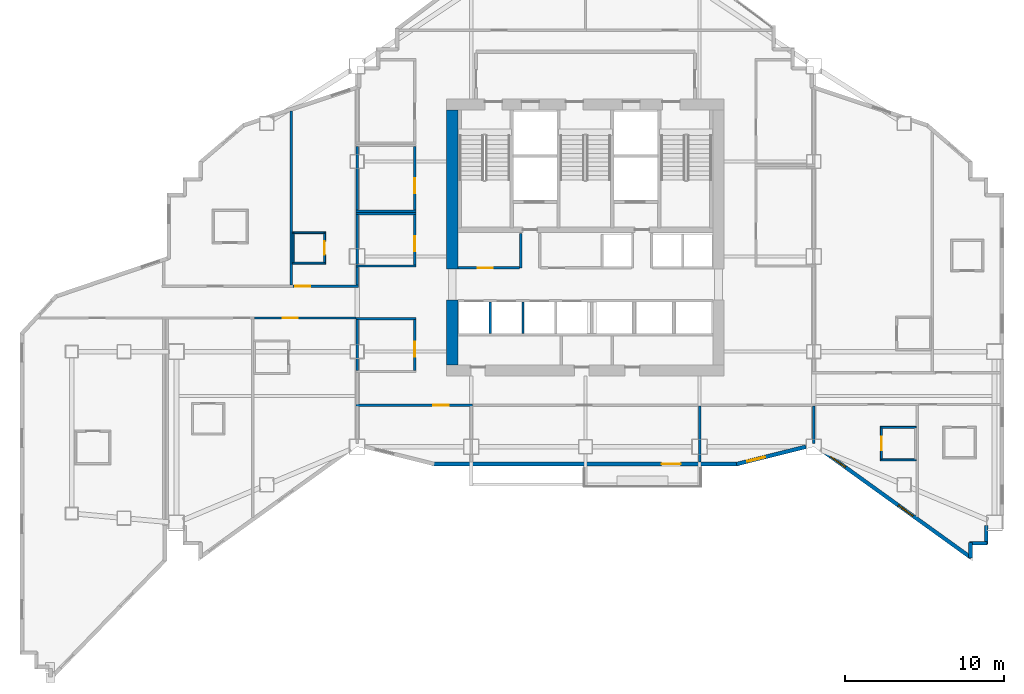
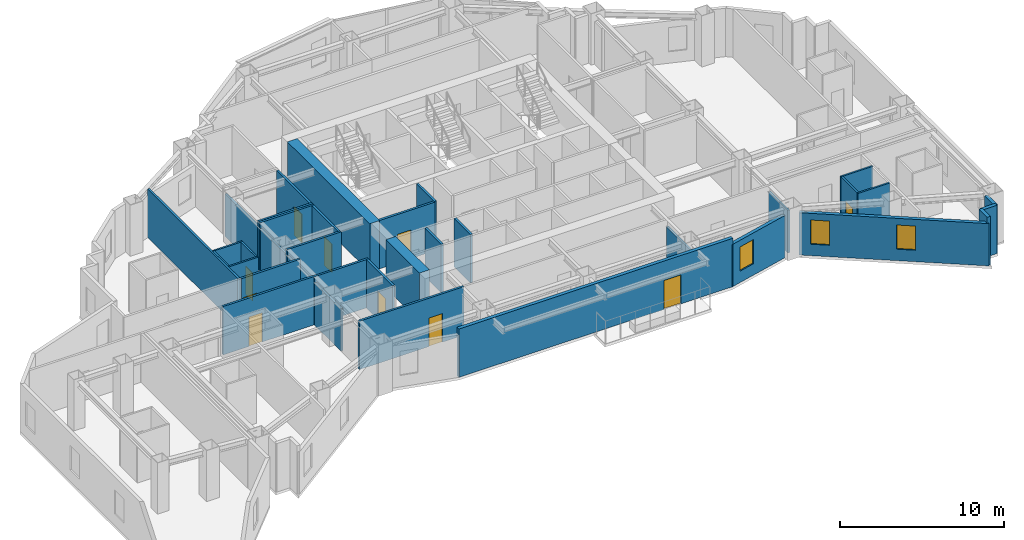
# One storey, part 6 of 13: 36 walls, 10 doors, 3 windows, 13 openings.
"""IFC4 building model written with IfcOpenShell, lengths in metres."""

from ifc_helpers import new_model, si_unit, direction, frame, frame_2d, origin, place, context, subcontext, project, spatial, rectangle, extrude, material, layer, layer_set, type_object, element, fill, save


model = new_model("IFC4")

# Units and contexts
model_context = context("Model", 3, precision=1e-05, world=origin(), true_north=direction((0.0, 1.0)))
body_context = subcontext(model_context, "Body", "Model", "MODEL_VIEW")
ifc_project = project(units=[si_unit("LENGTHUNIT", "METRE"), si_unit("AREAUNIT", "SQUARE_METRE"), si_unit("VOLUMEUNIT", "CUBIC_METRE"), si_unit("PLANEANGLEUNIT", "RADIAN"), si_unit("MASSUNIT", "GRAM", prefix="KILO")], contexts=[model_context])

# Site, building, storey
site_placement = place(None, origin())
site = spatial("IfcSite", under=ifc_project, at=site_placement, CompositionType="ELEMENT")
building_placement = place(site_placement, origin())
building = spatial("IfcBuilding", under=site, at=building_placement, Name="Haolan Belvedere Tower", CompositionType="ELEMENT")
storey_placement = place(building_placement, frame((0.0, 0.0, 106.0)))
storey = spatial("IfcBuildingStorey", under=building, at=storey_placement, Name="L26", CompositionType="ELEMENT", Elevation=106.0)

# Walls
ifc_material_1 = material(Name="Concrete C60/75", Category="concrete")
ifc_layer_1 = layer(ifc_material_1, 0.699951171875, Name="Concrete C60/75")
ifc_layer_set_1 = layer_set([ifc_layer_1], Name="Concrete C60/75")
wall_type_1 = type_object("IfcWallType", Name="WL-CORE-700", PredefinedType="SHEAR", material=ifc_layer_set_1)
wall_1_placement = place(storey_placement, frame((30.0, 26.75, 0.0), z_axis=(0.0, 0.0, 1.0), x_axis=(0.0, 1.0, 0.0)))
element("IfcWall", 1, at=wall_1_placement, inside=storey, type_object=wall_type_1, Name="L26 central core shear wall WS", PredefinedType="SHEAR", context=body_context, shape_type="SweptSolid", body=[
    extrude(rectangle(XDim=4.10009765625, YDim=0.699951171875, at=frame_2d((2.050048828125, 0.0))), origin(), (0.0, 0.0, 1.0), 3.60009765625),
])
wall_2_placement = place(storey_placement, frame((30.0, 32.800048828125, 0.0), z_axis=(0.0, 0.0, 1.0), x_axis=(0.0, 1.0, 0.0)))
element("IfcWall", 2, at=wall_2_placement, inside=storey, type_object=wall_type_1, Name="L26 central core shear wall WN", PredefinedType="SHEAR", context=body_context, shape_type="SweptSolid", body=[
    extrude(rectangle(XDim=10.050048828125, YDim=0.699951171875, at=frame_2d((5.02490234375, 0.0))), origin(), (0.0, 0.0, 1.0), 3.60009765625),
])

# Wall, opening, door
ifc_material_2 = material(Name="Precast concrete C40/50", Category="concrete")
ifc_layer_2 = layer(ifc_material_2, 0.239990234375, Name="Precast concrete C40/50")
ifc_layer_set_2 = layer_set([ifc_layer_2], Name="Precast concrete C40/50")
wall_type_2 = type_object("IfcWallType", Name="WL-EXT-240", PredefinedType="SOLIDWALL", material=ifc_layer_set_2)
wall_3_placement = place(storey_placement, frame((28.759765625, 20.52001953125, 0.0), z_axis=(0.0, 0.0, 1.0), x_axis=(1.0, 0.0, 0.0)))
wall_3 = element("IfcWall", 3, at=wall_3_placement, inside=storey, type_object=wall_type_2, Name="L26 pale-metal exterior spandrel wall 7.1", PredefinedType="SOLIDWALL", context=body_context, shape_type="SweptSolid", body=[
    extrude(rectangle(XDim=19.280517578125, YDim=0.239990234375, at=frame_2d((9.64013671875, 0.0))), origin(), (0.0, 0.0, 1.0), 3.60009765625),
])
opening_1_placement = place(wall_3_placement, frame((15.64013671875, 0.0, 0.0), z_axis=(0.0, 0.0, 1.0), x_axis=(-1.0, 0.0, 0.0)))
opening_1 = element("IfcOpeningElement", 4, at=opening_1_placement, cuts=wall_3, Name="Opening BD-01", PredefinedType="OPENING", context=body_context, shape_type="SweptSolid", body=[
    extrude(rectangle(XDim=1.199951171875, YDim=2.14990234375, at=frame_2d((0.60009765625, 1.074951171875))), frame((0.0, 0.1298828125, 0.0), z_axis=(0.0, -1.0, 0.0), x_axis=(1.0, 0.0, 0.0)), (0.0, 0.0, 1.0), 0.260009765625),
])
ifc_material_3 = material(Name="Thermally broken pale-metal aluminium and Low-E glass", Category="aluminium")
door_type_1 = type_object("IfcDoorType", Name="DR-BAL-1200", OperationType="NOTDEFINED", PredefinedType="DOOR", material=ifc_material_3)
door_1_placement = place(opening_1_placement, origin())
door_1 = element("IfcDoor", 5, at=door_1_placement, inside=storey, type_object=door_type_1, Name="L26 tree-balcony access door 1", OperationType="SINGLE_SWING_RIGHT", OverallHeight=2.14990234375, OverallWidth=1.199951171875, PredefinedType="DOOR", context=body_context, shape_type="SweptSolid", body=[
    extrude(rectangle(XDim=1.199951171875, YDim=2.14990234375, at=frame_2d((0.60009765625, 1.074951171875))), frame((0.0, 0.02490234375, 0.0), z_axis=(0.0, -1.0, 0.0), x_axis=(1.0, 0.0, 0.0)), (0.0, 0.0, 1.0), 0.050048828125),
])
fill(opening_1, door_1)

# Wall, opening, window
wall_4_placement = place(storey_placement, frame((47.931884765625, 20.506591796875, 0.0), z_axis=(0.0, 0.0, 1.0), x_axis=(0.970145683738, 0.242522890311, 0.0)))
wall_4 = element("IfcWall", 6, at=wall_4_placement, inside=storey, type_object=wall_type_2, Name="L26 pale-metal exterior spandrel wall 8.1", PredefinedType="SOLIDWALL", context=body_context, shape_type="SweptSolid", body=[
    extrude(rectangle(XDim=4.510986328125, YDim=0.239990234375, at=frame_2d((2.25537109375, 0.0))), origin(), (0.0, 0.0, 1.0), 3.14501953125),
])
opening_2_placement = place(wall_4_placement, frame((0.699951171875, 0.0, 0.85009765625)))
opening_2 = element("IfcOpeningElement", 7, at=opening_2_placement, cuts=wall_4, Name="Opening W-02", PredefinedType="OPENING", context=body_context, shape_type="SweptSolid", body=[
    extrude(rectangle(XDim=1.14990234375, YDim=1.800048828125, at=frame_2d((0.574951171875, 0.89990234375))), frame((0.0, 0.1298828125, 0.0), z_axis=(0.0, -1.0, 0.0), x_axis=(1.0, 0.0, 0.0)), (0.0, 0.0, 1.0), 0.260009765625),
])
ifc_material_4 = material(Name="Anodised aluminium 6063-T6 and Low-E glass", Category="aluminium")
window_type = type_object("IfcWindowType", Name="WN-DECO-Z2", PartitioningType="SINGLE_PANEL", PredefinedType="WINDOW", material=ifc_material_4)
window_1_placement = place(opening_2_placement, origin())
window_1 = element("IfcWindow", 8, at=window_1_placement, inside=storey, type_object=window_type, Name="L26 Art Deco chevron window 1", OverallHeight=1.800048828125, OverallWidth=1.14990234375, PartitioningType="SINGLE_PANEL", PredefinedType="WINDOW", context=body_context, shape_type="SweptSolid", body=[
    extrude(rectangle(XDim=1.14990234375, YDim=1.800048828125, at=frame_2d((0.574951171875, 0.89990234375))), frame((0.0, 0.030029296875, 0.0), z_axis=(0.0, -1.0, 0.0), x_axis=(1.0, 0.0, 0.0)), (0.0, 0.0, 1.0), 0.06005859375),
])
fill(opening_2, window_1)

# Wall, openings, windows
wall_5_placement = place(storey_placement, frame((53.2919921875, 21.3935546875, 0.0), z_axis=(0.0, 0.0, 1.0), x_axis=(0.811543504691, -0.584291998913, 0.0)))
wall_5 = element("IfcWall", 9, at=wall_5_placement, inside=storey, type_object=wall_type_2, Name="L26 pale-metal exterior spandrel wall 9.1", PredefinedType="SOLIDWALL", context=body_context, shape_type="SweptSolid", body=[
    extrude(rectangle(XDim=11.623046875, YDim=0.239990234375, at=frame_2d((5.8115234375, 0.0))), origin(), (0.0, 0.0, 1.0), 3.14501953125),
])
opening_3_placement = place(wall_5_placement, frame((0.699951171875, 0.0, 0.85009765625)))
opening_3 = element("IfcOpeningElement", 10, at=opening_3_placement, cuts=wall_5, Name="Opening W-02", PredefinedType="OPENING", context=body_context, shape_type="SweptSolid", body=[
    extrude(rectangle(XDim=1.14990234375, YDim=1.800048828125, at=frame_2d((0.574951171875, 0.89990234375))), frame((0.0, 0.1298828125, 0.0), z_axis=(0.0, -1.0, 0.0), x_axis=(1.0, 0.0, 0.0)), (0.0, 0.0, 1.0), 0.260009765625),
])
opening_4_placement = place(wall_5_placement, frame((5.96728515625, 0.0, 0.85009765625)))
opening_4 = element("IfcOpeningElement", 11, at=opening_4_placement, cuts=wall_5, Name="Opening W-02", PredefinedType="OPENING", context=body_context, shape_type="SweptSolid", body=[
    extrude(rectangle(XDim=1.14990234375, YDim=1.800048828125, at=frame_2d((0.574951171875, 0.89990234375))), frame((0.0, 0.1298828125, 0.0), z_axis=(0.0, -1.0, 0.0), x_axis=(1.0, 0.0, 0.0)), (0.0, 0.0, 1.0), 0.260009765625),
])
window_2_placement = place(opening_3_placement, origin())
window_2 = element("IfcWindow", 12, at=window_2_placement, inside=storey, type_object=window_type, Name="L26 Art Deco chevron window 1", OverallHeight=1.800048828125, OverallWidth=1.14990234375, PartitioningType="SINGLE_PANEL", PredefinedType="WINDOW", context=body_context, shape_type="SweptSolid", body=[
    extrude(rectangle(XDim=1.14990234375, YDim=1.800048828125, at=frame_2d((0.574951171875, 0.89990234375))), frame((0.0, 0.030029296875, 0.0), z_axis=(0.0, -1.0, 0.0), x_axis=(1.0, 0.0, 0.0)), (0.0, 0.0, 1.0), 0.06005859375),
])
fill(opening_3, window_2)
window_3_placement = place(opening_4_placement, origin())
window_3 = element("IfcWindow", 13, at=window_3_placement, inside=storey, type_object=window_type, Name="L26 Art Deco chevron window 2", OverallHeight=1.800048828125, OverallWidth=1.14990234375, PartitioningType="SINGLE_PANEL", PredefinedType="WINDOW", context=body_context, shape_type="SweptSolid", body=[
    extrude(rectangle(XDim=1.14990234375, YDim=1.800048828125, at=frame_2d((0.574951171875, 0.89990234375))), frame((0.0, 0.030029296875, 0.0), z_axis=(0.0, -1.0, 0.0), x_axis=(1.0, 0.0, 0.0)), (0.0, 0.0, 1.0), 0.06005859375),
])
fill(opening_4, window_3)

# Walls
wall_6_placement = place(storey_placement, frame((62.679931640625, 14.579345703125, 0.0), z_axis=(0.0, 0.0, 1.0), x_axis=(0.0, 1.0, 0.0)))
element("IfcWall", 14, at=wall_6_placement, inside=storey, type_object=wall_type_2, Name="L26 pale-metal exterior spandrel wall 10.1", PredefinedType="SOLIDWALL", context=body_context, shape_type="SweptSolid", body=[
    extrude(rectangle(XDim=0.99560546875, YDim=0.239990234375, at=frame_2d((0.497802734375, 0.0))), origin(), (0.0, 0.0, 1.0), 3.60009765625),
])
wall_7_placement = place(storey_placement, frame((62.625, 15.52001953125, 0.0), z_axis=(0.0, 0.0, 1.0), x_axis=(1.0, 0.0, 0.0)))
element("IfcWall", 15, at=wall_7_placement, inside=storey, type_object=wall_type_2, Name="L26 pale-metal exterior spandrel wall 11.1", PredefinedType="SOLIDWALL", context=body_context, shape_type="SweptSolid", body=[
    extrude(rectangle(XDim=1.110107421875, YDim=0.239990234375, at=frame_2d((0.55517578125, 0.0))), origin(), (0.0, 0.0, 1.0), 3.60009765625),
])
wall_8_placement = place(storey_placement, frame((63.679931640625, 15.465087890625, 0.0), z_axis=(0.0, 0.0, 1.0), x_axis=(0.0, 1.0, 0.0)))
element("IfcWall", 16, at=wall_8_placement, inside=storey, type_object=wall_type_2, Name="L26 pale-metal exterior spandrel wall 12.1", PredefinedType="SOLIDWALL", context=body_context, shape_type="SweptSolid", body=[
    extrude(rectangle(XDim=1.1748046875, YDim=0.239990234375, at=frame_2d((0.58740234375, 0.0))), origin(), (0.0, 0.0, 1.0), 3.60009765625),
])
ifc_material_5 = material(Name="Double gypsum acoustic stud partition", Category="masonry")
ifc_layer_3 = layer(ifc_material_5, 0.14990234375, Name="Double gypsum acoustic stud partition")
ifc_layer_set_3 = layer_set([ifc_layer_3], Name="Double gypsum acoustic stud partition")
wall_type_3 = type_object("IfcWallType", Name="WL-PART-150", PredefinedType="PARTITIONING", material=ifc_layer_set_3)
for number, where, z_axis, x_axis, name in (
    (17, (23.919921875, 36.300048828125, 0.0), (0.0, 0.0, 1.0), (1.0, 0.0, 0.0), "L26 interior partition IW-L26-AWC-N"),
    (18, (23.919921875, 33.0, 0.0), (0.0, 0.0, 1.0), (1.0, 0.0, 0.0), "L26 interior partition IW-L26-AWC-S"),
):
    element("IfcWall", number, at=place(storey_placement, frame(where, z_axis=z_axis, x_axis=x_axis)), inside=storey, type_object=wall_type_3, Name=name, PredefinedType="PARTITIONING", context=body_context, shape_type="SweptSolid", body=[
        extrude(rectangle(XDim=3.800048828125, YDim=0.14990234375, at=frame_2d((1.89990234375, 0.0))), origin(), (0.0, 0.0, 1.0), 3.60009765625),
    ])
wall_9_placement = place(storey_placement, frame((24.0, 33.06005859375, 0.0), z_axis=(0.0, 0.0, 1.0), x_axis=(0.0, 1.0, 0.0)))
element("IfcWall", 19, at=wall_9_placement, inside=storey, type_object=wall_type_3, Name="L26 interior partition IW-L26-AWC-W", PredefinedType="PARTITIONING", context=body_context, shape_type="SweptSolid", body=[
    extrude(rectangle(XDim=3.179931640625, YDim=0.14990234375, at=frame_2d((1.58984375, 0.0))), origin(), (0.0, 0.0, 1.0), 3.14501953125),
])

# Wall, opening, door
wall_10_placement = place(storey_placement, frame((27.639892578125, 33.06005859375, 0.0), z_axis=(0.0, 0.0, 1.0), x_axis=(0.0, 1.0, 0.0)))
wall_10 = element("IfcWall", 20, at=wall_10_placement, inside=storey, type_object=wall_type_3, Name="L26 interior partition IW-L26-AWC-E", PredefinedType="PARTITIONING", context=body_context, shape_type="SweptSolid", body=[
    extrude(rectangle(XDim=3.179931640625, YDim=0.14990234375, at=frame_2d((1.58984375, 0.0))), origin(), (0.0, 0.0, 1.0), 3.60009765625),
])
opening_5_placement = place(wall_10_placement, frame((1.81005859375, 0.0, 0.0), z_axis=(0.0, 0.0, 1.0), x_axis=(-1.0, 0.0, 0.0)))
opening_5 = element("IfcOpeningElement", 21, at=opening_5_placement, cuts=wall_10, Name="Opening ID-03", PredefinedType="OPENING", context=body_context, shape_type="SweptSolid", body=[
    extrude(rectangle(XDim=0.949951171875, YDim=2.1201171875, at=frame_2d((0.47509765625, 1.06005859375))), frame((0.0, 0.0849609375, 0.0), z_axis=(0.0, -1.0, 0.0), x_axis=(1.0, 0.0, 0.0)), (0.0, 0.0, 1.0), 0.169921875),
])
ifc_material_6 = material(Name="Painted solid-core timber", Category="wood")
door_type_2 = type_object("IfcDoorType", Name="DR-INT-950", OperationType="NOTDEFINED", PredefinedType="DOOR", material=ifc_material_6)
door_2_placement = place(opening_5_placement, origin())
door_2 = element("IfcDoor", 22, at=door_2_placement, inside=storey, type_object=door_type_2, Name="L26 door ID-L26-AWC", OperationType="SINGLE_SWING_LEFT", OverallHeight=2.1201171875, OverallWidth=0.949951171875, PredefinedType="DOOR", context=body_context, shape_type="SweptSolid", body=[
    extrude(rectangle(XDim=0.949951171875, YDim=2.1201171875, at=frame_2d((0.47509765625, 1.06005859375))), frame((0.0, 0.02490234375, 0.0), z_axis=(0.0, -1.0, 0.0), x_axis=(1.0, 0.0, 0.0)), (0.0, 0.0, 1.0), 0.050048828125),
])
fill(opening_5, door_2)

# Walls
wall_11_placement = place(storey_placement, frame((23.919921875, 36.4599609375, 0.0), z_axis=(0.0, 0.0, 1.0), x_axis=(1.0, 0.0, 0.0)))
element("IfcWall", 23, at=wall_11_placement, inside=storey, type_object=wall_type_3, Name="L26 interior partition IW-L26-PNT-S", PredefinedType="PARTITIONING", context=body_context, shape_type="SweptSolid", body=[
    extrude(rectangle(XDim=3.800048828125, YDim=0.14990234375, at=frame_2d((1.89990234375, 0.0))), origin(), (0.0, 0.0, 1.0), 3.60009765625),
])
wall_12_placement = place(storey_placement, frame((24.0, 36.52001953125, 0.0), z_axis=(0.0, 0.0, 1.0), x_axis=(0.0, 1.0, 0.0)))
element("IfcWall", 24, at=wall_12_placement, inside=storey, type_object=wall_type_3, Name="L26 interior partition IW-L26-PNT-W", PredefinedType="PARTITIONING", context=body_context, shape_type="SweptSolid", body=[
    extrude(rectangle(XDim=4.02001953125, YDim=0.14990234375, at=frame_2d((2.010009765625, 0.0))), origin(), (0.0, 0.0, 1.0), 3.14501953125),
])

# Wall, opening, door
wall_13_placement = place(storey_placement, frame((27.639892578125, 36.52001953125, 0.0), z_axis=(0.0, 0.0, 1.0), x_axis=(0.0, 1.0, 0.0)))
wall_13 = element("IfcWall", 25, at=wall_13_placement, inside=storey, type_object=wall_type_3, Name="L26 interior partition IW-L26-PNT-E", PredefinedType="PARTITIONING", context=body_context, shape_type="SweptSolid", body=[
    extrude(rectangle(XDim=4.02001953125, YDim=0.14990234375, at=frame_2d((2.010009765625, 0.0))), origin(), (0.0, 0.0, 1.0), 3.60009765625),
])
opening_6_placement = place(wall_13_placement, frame((2.010009765625, 0.0, 0.0), z_axis=(0.0, 0.0, 1.0), x_axis=(-1.0, 0.0, 0.0)))
opening_6 = element("IfcOpeningElement", 26, at=opening_6_placement, cuts=wall_13, Name="Opening ID-03", PredefinedType="OPENING", context=body_context, shape_type="SweptSolid", body=[
    extrude(rectangle(XDim=0.949951171875, YDim=2.1201171875, at=frame_2d((0.47509765625, 1.06005859375))), frame((0.0, 0.0849609375, 0.0), z_axis=(0.0, -1.0, 0.0), x_axis=(1.0, 0.0, 0.0)), (0.0, 0.0, 1.0), 0.169921875),
])
door_3_placement = place(opening_6_placement, origin())
door_3 = element("IfcDoor", 27, at=door_3_placement, inside=storey, type_object=door_type_2, Name="L26 door ID-L26-PNT", OperationType="SINGLE_SWING_RIGHT", OverallHeight=2.1201171875, OverallWidth=0.949951171875, PredefinedType="DOOR", context=body_context, shape_type="SweptSolid", body=[
    extrude(rectangle(XDim=0.949951171875, YDim=2.1201171875, at=frame_2d((0.47509765625, 1.06005859375))), frame((0.0, 0.02490234375, 0.0), z_axis=(0.0, -1.0, 0.0), x_axis=(1.0, 0.0, 0.0)), (0.0, 0.0, 1.0), 0.050048828125),
])
fill(opening_6, door_3)

# Walls
wall_14_placement = place(storey_placement, frame((23.919921875, 29.679931640625, 0.0), z_axis=(0.0, 0.0, 1.0), x_axis=(1.0, 0.0, 0.0)))
element("IfcWall", 28, at=wall_14_placement, inside=storey, type_object=wall_type_3, Name="L26 interior partition IW-L26-PKTW-N", PredefinedType="PARTITIONING", context=body_context, shape_type="SweptSolid", body=[
    extrude(rectangle(XDim=3.800048828125, YDim=0.14990234375, at=frame_2d((1.89990234375, 0.0))), origin(), (0.0, 0.0, 1.0), 3.60009765625),
])
wall_15_placement = place(storey_placement, frame((24.0, 26.409912109375, 0.0), z_axis=(0.0, 0.0, 1.0), x_axis=(0.0, 1.0, 0.0)))
element("IfcWall", 29, at=wall_15_placement, inside=storey, type_object=wall_type_3, Name="L26 interior partition IW-L26-PKTW-W", PredefinedType="PARTITIONING", context=body_context, shape_type="SweptSolid", body=[
    extrude(rectangle(XDim=3.210205078125, YDim=0.14990234375, at=frame_2d((1.60498046875, 0.0))), origin(), (0.0, 0.0, 1.0), 3.14501953125),
])

# Wall, opening, door
wall_16_placement = place(storey_placement, frame((27.639892578125, 26.409912109375, 0.0), z_axis=(0.0, 0.0, 1.0), x_axis=(0.0, 1.0, 0.0)))
wall_16 = element("IfcWall", 30, at=wall_16_placement, inside=storey, type_object=wall_type_3, Name="L26 interior partition IW-L26-PKTW-E", PredefinedType="PARTITIONING", context=body_context, shape_type="SweptSolid", body=[
    extrude(rectangle(XDim=3.210205078125, YDim=0.14990234375, at=frame_2d((1.60498046875, 0.0))), origin(), (0.0, 0.0, 1.0), 3.60009765625),
])
opening_7_placement = place(wall_16_placement, frame((1.81005859375, 0.0, 0.0), z_axis=(0.0, 0.0, 1.0), x_axis=(-1.0, 0.0, 0.0)))
opening_7 = element("IfcOpeningElement", 31, at=opening_7_placement, cuts=wall_16, Name="Opening ID-03", PredefinedType="OPENING", context=body_context, shape_type="SweptSolid", body=[
    extrude(rectangle(XDim=0.949951171875, YDim=2.1201171875, at=frame_2d((0.47509765625, 1.06005859375))), frame((0.0, 0.0849609375, 0.0), z_axis=(0.0, -1.0, 0.0), x_axis=(1.0, 0.0, 0.0)), (0.0, 0.0, 1.0), 0.169921875),
])
door_4_placement = place(opening_7_placement, origin())
door_4 = element("IfcDoor", 32, at=door_4_placement, inside=storey, type_object=door_type_2, Name="L26 door ID-L26-PKTW", OperationType="SINGLE_SWING_LEFT", OverallHeight=2.1201171875, OverallWidth=0.949951171875, PredefinedType="DOOR", context=body_context, shape_type="SweptSolid", body=[
    extrude(rectangle(XDim=0.949951171875, YDim=2.1201171875, at=frame_2d((0.47509765625, 1.06005859375))), frame((0.0, 0.02490234375, 0.0), z_axis=(0.0, -1.0, 0.0), x_axis=(1.0, 0.0, 0.0)), (0.0, 0.0, 1.0), 0.050048828125),
])
fill(opening_7, door_4)

wall_17_placement = place(storey_placement, frame((23.919921875, 24.219970703125, 0.0), z_axis=(0.0, 0.0, 1.0), x_axis=(1.0, 0.0, 0.0)))
wall_17 = element("IfcWall", 33, at=wall_17_placement, inside=storey, type_object=wall_type_3, Name="L26 interior partition IW-L26-KS1-N", PredefinedType="PARTITIONING", context=body_context, shape_type="SweptSolid", body=[
    extrude(rectangle(XDim=7.360107421875, YDim=0.14990234375, at=frame_2d((3.68017578125, 0.0))), origin(), (0.0, 0.0, 1.0), 3.60009765625),
])
opening_8_placement = place(wall_17_placement, frame((5.844970703125, 0.0, 0.0), z_axis=(0.0, 0.0, 1.0), x_axis=(-1.0, 0.0, 0.0)))
opening_8 = element("IfcOpeningElement", 34, at=opening_8_placement, cuts=wall_17, Name="Opening ID-03", PredefinedType="OPENING", context=body_context, shape_type="SweptSolid", body=[
    extrude(rectangle(XDim=0.949951171875, YDim=2.1201171875, at=frame_2d((0.47509765625, 1.06005859375))), frame((0.0, 0.0849609375, 0.0), z_axis=(0.0, -1.0, 0.0), x_axis=(1.0, 0.0, 0.0)), (0.0, 0.0, 1.0), 0.169921875),
])
door_5_placement = place(opening_8_placement, origin())
door_5 = element("IfcDoor", 35, at=door_5_placement, inside=storey, type_object=door_type_2, Name="L26 door ID-L26-KS1", OperationType="SINGLE_SWING_RIGHT", OverallHeight=2.1201171875, OverallWidth=0.949951171875, PredefinedType="DOOR", context=body_context, shape_type="SweptSolid", body=[
    extrude(rectangle(XDim=0.949951171875, YDim=2.1201171875, at=frame_2d((0.47509765625, 1.06005859375))), frame((0.0, 0.02490234375, 0.0), z_axis=(0.0, -1.0, 0.0), x_axis=(1.0, 0.0, 0.0)), (0.0, 0.0, 1.0), 0.050048828125),
])
fill(opening_8, door_5)

# Walls
wall_18_placement = place(storey_placement, frame((45.60009765625, 20.625, 0.0), z_axis=(0.0, 0.0, 1.0), x_axis=(0.0, 1.0, 0.0)))
element("IfcWall", 36, at=wall_18_placement, inside=storey, type_object=wall_type_3, Name="L26 interior partition IW-L26-KS2-E", PredefinedType="PARTITIONING", context=body_context, shape_type="SweptSolid", body=[
    extrude(rectangle(XDim=3.534912109375, YDim=0.14990234375, at=frame_2d((1.767578125, 0.0))), origin(), (0.0, 0.0, 1.0), 3.0849609375),
])
wall_19_placement = place(storey_placement, frame((52.800048828125, 21.818603515625, 0.0), z_axis=(0.0, 0.0, 1.0), x_axis=(0.0, 1.0, 0.0)))
element("IfcWall", 37, at=wall_19_placement, inside=storey, type_object=wall_type_3, Name="L26 interior partition IW-L26-KS3-E", PredefinedType="PARTITIONING", context=body_context, shape_type="SweptSolid", body=[
    extrude(rectangle(XDim=2.34130859375, YDim=0.14990234375, at=frame_2d((1.170654296875, 0.0))), origin(), (0.0, 0.0, 1.0), 3.14501953125),
])
wall_20_placement = place(storey_placement, frame((19.85009765625, 31.7900390625, 0.0), z_axis=(0.0, 0.0, 1.0), x_axis=(0.0, 1.0, 0.0)))
element("IfcWall", 38, at=wall_20_placement, inside=storey, type_object=wall_type_3, Name="L26 interior partition IW-L26-T2N1-E", PredefinedType="PARTITIONING", context=body_context, shape_type="SweptSolid", body=[
    extrude(rectangle(XDim=10.989501953125, YDim=0.14990234375, at=frame_2d((5.49462890625, 0.0))), origin(), (0.0, 0.0, 1.0), 3.60009765625),
])

# Wall, opening, door
wall_21_placement = place(storey_placement, frame((19.951904296875, 31.72998046875, 0.0), z_axis=(0.0, 0.0, 1.0), x_axis=(1.0, 0.0, 0.0)))
wall_21 = element("IfcWall", 39, at=wall_21_placement, inside=storey, type_object=wall_type_3, Name="L26 interior partition IW-L26-T2N2-S", PredefinedType="PARTITIONING", context=body_context, shape_type="SweptSolid", body=[
    extrude(rectangle(XDim=4.148193359375, YDim=0.14990234375, at=frame_2d((2.07421875, 0.0))), origin(), (0.0, 0.0, 1.0), 3.60009765625),
])
opening_9_placement = place(wall_21_placement, frame((0.139892578125, 0.0, 0.0)))
opening_9 = element("IfcOpeningElement", 40, at=opening_9_placement, cuts=wall_21, Name="Opening ID-02", PredefinedType="OPENING", context=body_context, shape_type="SweptSolid", body=[
    extrude(rectangle(XDim=0.949951171875, YDim=2.14990234375, at=frame_2d((0.47509765625, 1.074951171875))), frame((0.0, 0.0849609375, 0.0), z_axis=(0.0, -1.0, 0.0), x_axis=(1.0, 0.0, 0.0)), (0.0, 0.0, 1.0), 0.169921875),
])
ifc_material_7 = material(Name="Acoustic oak veneer fire-rated timber", Category="wood")
door_type_3 = type_object("IfcDoorType", Name="DR-GUEST-950", OperationType="NOTDEFINED", PredefinedType="DOOR", material=ifc_material_7)
door_6_placement = place(opening_9_placement, origin())
door_6 = element("IfcDoor", 41, at=door_6_placement, inside=storey, type_object=door_type_3, Name="L26 door ID-L26-T2N2-ENT", OperationType="SINGLE_SWING_RIGHT", OverallHeight=2.14990234375, OverallWidth=0.949951171875, PredefinedType="DOOR", context=body_context, shape_type="SweptSolid", body=[
    extrude(rectangle(XDim=0.949951171875, YDim=2.14990234375, at=frame_2d((0.47509765625, 1.074951171875))), frame((0.0, 0.02490234375, 0.0), z_axis=(0.0, -1.0, 0.0), x_axis=(1.0, 0.0, 0.0)), (0.0, 0.0, 1.0), 0.050048828125),
])
fill(opening_9, door_6)

# Wall
wall_22_placement = place(storey_placement, frame((24.0, 31.7900390625, 0.0), z_axis=(0.0, 0.0, 1.0), x_axis=(0.0, 1.0, 0.0)))
element("IfcWall", 42, at=wall_22_placement, inside=storey, type_object=wall_type_3, Name="L26 interior partition IW-L26-T2N2-E", PredefinedType="PARTITIONING", context=body_context, shape_type="SweptSolid", body=[
    extrude(rectangle(XDim=1.14990234375, YDim=0.14990234375, at=frame_2d((0.574951171875, 0.0))), origin(), (0.0, 0.0, 1.0), 3.14501953125),
])

# Wall, opening, door
wall_23_placement = place(storey_placement, frame((17.511962890625, 29.719970703125, 0.0), z_axis=(0.0, 0.0, 1.0), x_axis=(1.0, 0.0, 0.0)))
wall_23 = element("IfcWall", 43, at=wall_23_placement, inside=storey, type_object=wall_type_3, Name="L26 interior partition IW-L26-T2S2-N", PredefinedType="PARTITIONING", context=body_context, shape_type="SweptSolid", body=[
    extrude(rectangle(XDim=6.406005859375, YDim=0.14990234375, at=frame_2d((3.203125, 0.0))), origin(), (0.0, 0.0, 1.0), 3.60009765625),
])
opening_10_placement = place(wall_23_placement, frame((2.754638671875, 0.0, 0.0), z_axis=(0.0, 0.0, 1.0), x_axis=(-1.0, 0.0, 0.0)))
opening_10 = element("IfcOpeningElement", 44, at=opening_10_placement, cuts=wall_23, Name="Opening ID-01", PredefinedType="OPENING", context=body_context, shape_type="SweptSolid", body=[
    extrude(rectangle(XDim=0.949951171875, YDim=2.179931640625, at=frame_2d((0.47509765625, 1.08984375))), frame((0.0, 0.0849609375, 0.0), z_axis=(0.0, -1.0, 0.0), x_axis=(1.0, 0.0, 0.0)), (0.0, 0.0, 1.0), 0.169921875),
])
ifc_material_8 = material(Name="Acoustic walnut veneer fire-rated timber", Category="wood")
door_type_4 = type_object("IfcDoorType", Name="DR-SUITE-950", OperationType="NOTDEFINED", PredefinedType="DOOR", material=ifc_material_8)
door_7_placement = place(opening_10_placement, origin())
door_7 = element("IfcDoor", 45, at=door_7_placement, inside=storey, type_object=door_type_4, Name="L26 door ID-L26-T2S2-ENT", OperationType="SINGLE_SWING_RIGHT", OverallHeight=2.179931640625, OverallWidth=0.949951171875, PredefinedType="DOOR", context=body_context, shape_type="SweptSolid", body=[
    extrude(rectangle(XDim=0.949951171875, YDim=2.179931640625, at=frame_2d((0.47509765625, 1.08984375))), frame((0.0, 0.02490234375, 0.0), z_axis=(0.0, -1.0, 0.0), x_axis=(1.0, 0.0, 0.0)), (0.0, 0.0, 1.0), 0.050048828125),
])
fill(opening_10, door_7)

# Wall
ifc_material_9 = material(Name="Gypsum fire shaftwall assembly", Category="masonry")
ifc_layer_4 = layer(ifc_material_9, 0.1650390625, Name="Gypsum fire shaftwall assembly")
ifc_layer_set_4 = layer_set([ifc_layer_4], Name="Gypsum fire shaftwall assembly")
wall_type_4 = type_object("IfcWallType", Name="WL-SHAFT-160", PredefinedType="SOLIDWALL", material=ifc_layer_set_4)
wall_24_placement = place(storey_placement, frame((34.31005859375, 32.8798828125, 0.0), z_axis=(0.0, 0.0, 1.0), x_axis=(0.0, 1.0, 0.0)))
element("IfcWall", 46, at=wall_24_placement, inside=storey, type_object=wall_type_4, Name="L26 interior partition IW-L26-SVP-W-SV1", PredefinedType="SOLIDWALL", context=body_context, shape_type="SweptSolid", body=[
    extrude(rectangle(XDim=2.170166015625, YDim=0.14990234375, at=frame_2d((1.0849609375, 0.0))), origin(), (0.0, 0.0, 1.0), 3.60009765625),
])

# Wall, opening, door
wall_25_placement = place(storey_placement, frame((30.35009765625, 32.8798828125, 0.0), z_axis=(0.0, 0.0, 1.0), x_axis=(1.0, 0.0, 0.0)))
wall_25 = element("IfcWall", 47, at=wall_25_placement, inside=storey, type_object=wall_type_4, Name="L26 interior partition IW-L26-ROW-PN1", PredefinedType="SOLIDWALL", context=body_context, shape_type="SweptSolid", body=[
    extrude(rectangle(XDim=3.89990234375, YDim=0.159912109375, at=frame_2d((1.949951171875, 0.0))), origin(), (0.0, 0.0, 1.0), 3.60009765625),
])
opening_11_placement = place(wall_25_placement, frame((2.199951171875, 0.0, 0.0), z_axis=(0.0, 0.0, 1.0), x_axis=(-1.0, 0.0, 0.0)))
opening_11 = element("IfcOpeningElement", 48, at=opening_11_placement, cuts=wall_25, Name="Opening ID-03", PredefinedType="OPENING", context=body_context, shape_type="SweptSolid", body=[
    extrude(rectangle(XDim=0.949951171875, YDim=2.1201171875, at=frame_2d((0.47509765625, 1.06005859375))), frame((0.0, 0.08984375, 0.0), z_axis=(0.0, -1.0, 0.0), x_axis=(1.0, 0.0, 0.0)), (0.0, 0.0, 1.0), 0.179931640625),
])
door_8_placement = place(opening_11_placement, origin())
door_8 = element("IfcDoor", 49, at=door_8_placement, inside=storey, type_object=door_type_2, Name="L26 door ID-L26-CD-RPLW", OperationType="SINGLE_SWING_LEFT", OverallHeight=2.1201171875, OverallWidth=0.949951171875, PredefinedType="DOOR", context=body_context, shape_type="SweptSolid", body=[
    extrude(rectangle(XDim=0.949951171875, YDim=2.1201171875, at=frame_2d((0.47509765625, 1.06005859375))), frame((0.0, 0.02490234375, 0.0), z_axis=(0.0, -1.0, 0.0), x_axis=(1.0, 0.0, 0.0)), (0.0, 0.0, 1.0), 0.050048828125),
])
fill(opening_11, door_8)

# Walls
for number, where, z_axis, x_axis, name in (
    (50, (32.39990234375, 28.735107421875, 0.0), (0.0, 0.0, 1.0), (0.0, 1.0, 0.0), "L26 interior partition IW-L26-DIV-PM1"),
    (51, (34.4599609375, 28.735107421875, 0.0), (0.0, 0.0, 1.0), (0.0, 1.0, 0.0), "L26 interior partition IW-L26-DIV-PM2"),
):
    element("IfcWall", number, at=place(storey_placement, frame(where, z_axis=z_axis, x_axis=x_axis)), inside=storey, type_object=wall_type_4, Name=name, PredefinedType="SOLIDWALL", context=body_context, shape_type="SweptSolid", body=[
        extrude(rectangle(XDim=1.98486328125, YDim=0.14990234375, at=frame_2d((0.992431640625, 0.0))), origin(), (0.0, 0.0, 1.0), 3.60009765625),
    ])
ifc_material_10 = material(Name="Moisture-resistant gypsum tile partition", Category="masonry")
ifc_layer_5 = layer(ifc_material_10, 0.1201171875, Name="Moisture-resistant gypsum tile partition")
ifc_layer_set_5 = layer_set([ifc_layer_5], Name="Moisture-resistant gypsum tile partition")
wall_type_5 = type_object("IfcWallType", Name="WL-WET-120", PredefinedType="PARTITIONING", material=ifc_layer_set_5)
for number, where, z_axis, x_axis, name in (
    (52, (19.909912109375, 35.10009765625, 0.0), (0.0, 0.0, 1.0), (1.0, 0.0, 0.0), "L26 interior partition IW-L26-T2N2-BN"),
    (53, (19.909912109375, 33.179931640625, 0.0), (0.0, 0.0, 1.0), (1.0, 0.0, 0.0), "L26 interior partition IW-L26-T2N2-BS"),
):
    element("IfcWall", number, at=place(storey_placement, frame(where, z_axis=z_axis, x_axis=x_axis)), inside=storey, type_object=wall_type_5, Name=name, PredefinedType="PARTITIONING", context=body_context, shape_type="SweptSolid", body=[
        extrude(rectangle(XDim=2.09423828125, YDim=0.1201171875, at=frame_2d((1.047119140625, 0.0))), origin(), (0.0, 0.0, 1.0), 3.60009765625),
    ])
wall_26_placement = place(storey_placement, frame((19.964111328125, 33.22509765625, 0.0), z_axis=(0.0, 0.0, 1.0), x_axis=(0.0, 1.0, 0.0)))
element("IfcWall", 54, at=wall_26_placement, inside=storey, type_object=wall_type_5, Name="L26 interior partition IW-L26-T2N2-BW", PredefinedType="PARTITIONING", context=body_context, shape_type="SweptSolid", body=[
    extrude(rectangle(XDim=1.829833984375, YDim=0.1201171875, at=frame_2d((0.9150390625, 0.0))), origin(), (0.0, 0.0, 1.0), 3.60009765625),
])

# Wall, opening, door
wall_27_placement = place(storey_placement, frame((21.944091796875, 33.22509765625, 0.0), z_axis=(0.0, 0.0, 1.0), x_axis=(0.0, 1.0, 0.0)))
wall_27 = element("IfcWall", 55, at=wall_27_placement, inside=storey, type_object=wall_type_5, Name="L26 interior partition IW-L26-T2N2-BE", PredefinedType="PARTITIONING", context=body_context, shape_type="SweptSolid", body=[
    extrude(rectangle(XDim=1.829833984375, YDim=0.1201171875, at=frame_2d((0.9150390625, 0.0))), origin(), (0.0, 0.0, 1.0), 3.60009765625),
])
opening_12_placement = place(wall_27_placement, frame((0.489990234375, 0.0, 0.0)))
opening_12 = element("IfcOpeningElement", 56, at=opening_12_placement, cuts=wall_27, Name="Opening ID-05", PredefinedType="OPENING", context=body_context, shape_type="SweptSolid", body=[
    extrude(rectangle(XDim=0.85009765625, YDim=2.10009765625, at=frame_2d((0.425048828125, 1.050048828125))), frame((0.0, 0.070068359375, 0.0), z_axis=(0.0, -1.0, 0.0), x_axis=(1.0, 0.0, 0.0)), (0.0, 0.0, 1.0), 0.14013671875),
])
ifc_material_11 = material(Name="Moisture-resistant lacquered timber", Category="wood")
door_type_5 = type_object("IfcDoorType", Name="DR-BATH-850", OperationType="NOTDEFINED", PredefinedType="DOOR", material=ifc_material_11)
door_9_placement = place(opening_12_placement, origin())
door_9 = element("IfcDoor", 57, at=door_9_placement, inside=storey, type_object=door_type_5, Name="L26 door ID-L26-T2N2-BATH", OperationType="SINGLE_SWING_LEFT", OverallHeight=2.10009765625, OverallWidth=0.85009765625, PredefinedType="DOOR", context=body_context, shape_type="SweptSolid", body=[
    extrude(rectangle(XDim=0.85009765625, YDim=2.10009765625, at=frame_2d((0.425048828125, 1.050048828125))), frame((0.0, 0.02490234375, 0.0), z_axis=(0.0, -1.0, 0.0), x_axis=(1.0, 0.0, 0.0)), (0.0, 0.0, 1.0), 0.050048828125),
])
fill(opening_12, door_9)

# Walls
for number, where, z_axis, x_axis, name in (
    (58, (57.010009765625, 22.820068359375, 0.0), (0.0, 0.0, 1.0), (1.0, 0.0, 0.0), "L26 interior partition IW-L26-T4S1-BN"),
    (59, (57.010009765625, 20.77001953125, 0.0), (0.0, 0.0, 1.0), (1.0, 0.0, 0.0), "L26 interior partition IW-L26-T4S1-BS"),
):
    element("IfcWall", number, at=place(storey_placement, frame(where, z_axis=z_axis, x_axis=x_axis)), inside=storey, type_object=wall_type_5, Name=name, PredefinedType="PARTITIONING", context=body_context, shape_type="SweptSolid", body=[
        extrude(rectangle(XDim=2.25, YDim=0.1201171875, at=frame_2d((1.125, 0.0))), origin(), (0.0, 0.0, 1.0), 3.60009765625),
    ])

# Wall, opening, door
wall_28_placement = place(storey_placement, frame((57.070068359375, 20.81494140625, 0.0), z_axis=(0.0, 0.0, 1.0), x_axis=(0.0, 1.0, 0.0)))
wall_28 = element("IfcWall", 60, at=wall_28_placement, inside=storey, type_object=wall_type_5, Name="L26 interior partition IW-L26-T4S1-BW", PredefinedType="PARTITIONING", context=body_context, shape_type="SweptSolid", body=[
    extrude(rectangle(XDim=1.9599609375, YDim=0.1201171875, at=frame_2d((0.97998046875, 0.0))), origin(), (0.0, 0.0, 1.0), 3.60009765625),
])
opening_13_placement = place(wall_28_placement, frame((1.405029296875, 0.0, 0.0), z_axis=(0.0, 0.0, 1.0), x_axis=(-1.0, 0.0, 0.0)))
opening_13 = element("IfcOpeningElement", 61, at=opening_13_placement, cuts=wall_28, Name="Opening ID-05", PredefinedType="OPENING", context=body_context, shape_type="SweptSolid", body=[
    extrude(rectangle(XDim=0.85009765625, YDim=2.10009765625, at=frame_2d((0.425048828125, 1.050048828125))), frame((0.0, 0.070068359375, 0.0), z_axis=(0.0, -1.0, 0.0), x_axis=(1.0, 0.0, 0.0)), (0.0, 0.0, 1.0), 0.14013671875),
])
door_10_placement = place(opening_13_placement, origin())
door_10 = element("IfcDoor", 62, at=door_10_placement, inside=storey, type_object=door_type_5, Name="L26 door ID-L26-T4S1-BATH", OperationType="SINGLE_SWING_RIGHT", OverallHeight=2.10009765625, OverallWidth=0.85009765625, PredefinedType="DOOR", context=body_context, shape_type="SweptSolid", body=[
    extrude(rectangle(XDim=0.85009765625, YDim=2.10009765625, at=frame_2d((0.425048828125, 1.050048828125))), frame((0.0, 0.02490234375, 0.0), z_axis=(0.0, -1.0, 0.0), x_axis=(1.0, 0.0, 0.0)), (0.0, 0.0, 1.0), 0.050048828125),
])
fill(opening_13, door_10)

save(model, "model.ifc")
